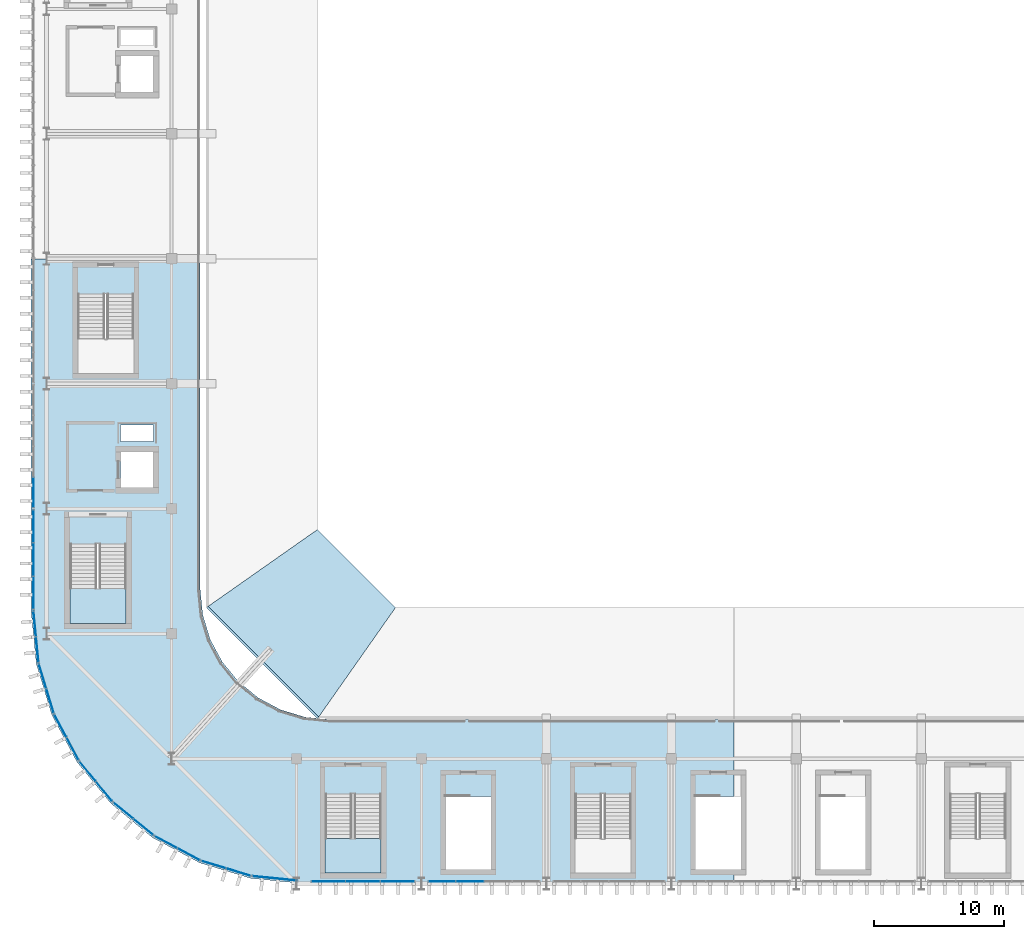
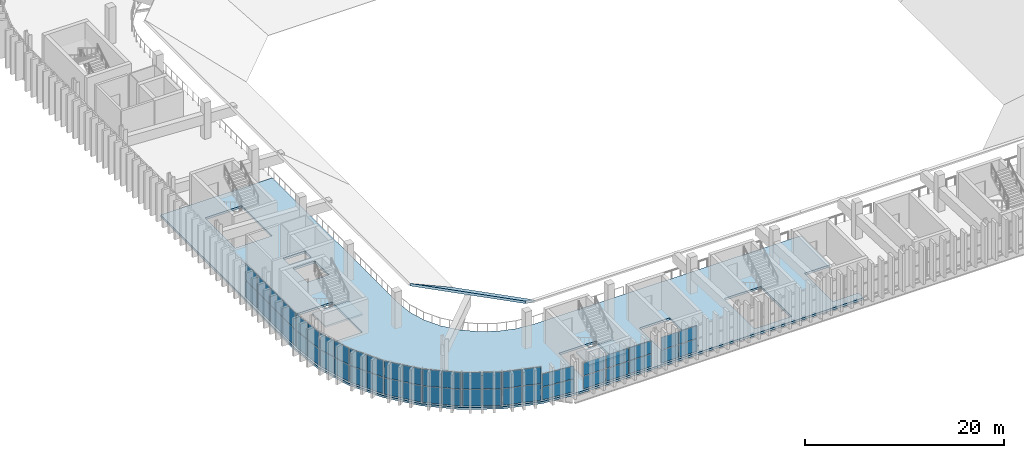
# One storey, part 35 of 69: 48 plates, 4 slabs, 14 elements without a shape of their own.
"""IFC4 building model written with IfcOpenShell, lengths in metres."""

from ifc_helpers import new_model, si_unit, direction, frame, origin, origin_2d, place, context, subcontext, project, spatial, polyline, rectangle, outline, extrude, material, layer, layer_set, type_object, element, aggregate, save


model = new_model("IFC4")

# Units and contexts
model_context = context("Model", 3, precision=1e-05, world=origin(), true_north=direction((0.0, 1.0)))
body_context = subcontext(model_context, "Body", "Model", "MODEL_VIEW")
ifc_project = project(units=[si_unit("LENGTHUNIT", "METRE"), si_unit("AREAUNIT", "SQUARE_METRE"), si_unit("VOLUMEUNIT", "CUBIC_METRE"), si_unit("PLANEANGLEUNIT", "RADIAN"), si_unit("MASSUNIT", "GRAM", prefix="KILO")], contexts=[model_context])

# Site, building, storey
site_placement = place(None, origin())
site = spatial("IfcSite", under=ifc_project, at=site_placement, CompositionType="ELEMENT")
building_placement = place(site_placement, origin())
building = spatial("IfcBuilding", under=site, at=building_placement, Name="Caelomonte Colonnade Arena", CompositionType="ELEMENT")
storey_placement = place(building_placement, frame((0.0, 0.0, 18.60009765625)))
storey = spatial("IfcBuildingStorey", under=building, at=storey_placement, Name="L04", CompositionType="ELEMENT", Elevation=18.60009765625)

# Curtain wall, plates
ifc_material_1 = material(Name="Bronze anodised aluminium and low-E glazing", Category="aluminium")
ifc_layer_1 = layer(ifc_material_1, 0.179931640625)
ifc_layer_set_1 = layer_set([ifc_layer_1], Name="Bronze anodised aluminium and low-E glazing")
curtain_wall_type_1 = type_object("IfcCurtainWallType", Name="ENV-CW-CW-L04-44-42", PredefinedType="USERDEFINED", material=ifc_layer_set_1)
curtain_wall_1_placement = place(storey_placement, origin())
curtain_wall_1 = element("IfcCurtainWall", 1, at=curtain_wall_1_placement, inside=storey, type_object=curtain_wall_type_1, Name="L04 unitized curtain wall CW-L04-0714-0204", ObjectType="UNITIZED CURTAIN WALL", PredefinedType="USERDEFINED")
ifc_material_2 = material(Name="Solar-control bronze low-E double glazing", Category="glass")
ifc_layer_2 = layer(ifc_material_2, 0.035888671875)
ifc_layer_set_2 = layer_set([ifc_layer_2], Name="Solar-control bronze low-E double glazing")
plate_type = type_object("IfcPlateType", Name="ENV-CW-PAN36", PredefinedType="CURTAIN_PANEL", material=ifc_layer_set_2)
plate_1_placement = place(storey_placement, frame((70.4365234375, 20.6611328125, 0.06982421875), z_axis=(0.0, 0.0, 1.0), x_axis=(0.956949160999, -0.290255582655, 0.0)))
plate_1 = element("IfcPlate", 2, at=plate_1_placement, type_object=plate_type, Name="CW-L04-44-42 panel 1.1", PredefinedType="CURTAIN_PANEL", context=body_context, shape_type="SweptSolid", body=[
    extrude(rectangle(XDim=1.913330078125, YDim=0.035888671875, at=origin_2d()), origin(), (0.0, 0.0, 1.0), 2.014892578125),
])
plate_2_placement = place(storey_placement, frame((70.4365234375, 20.6611328125, 2.15478515625), z_axis=(0.0, 0.0, 1.0), x_axis=(0.956949160999, -0.290255582655, 0.0)))
plate_2 = element("IfcPlate", 3, at=plate_2_placement, type_object=plate_type, Name="CW-L04-44-42 panel 1.2", PredefinedType="CURTAIN_PANEL", context=body_context, shape_type="SweptSolid", body=[
    extrude(rectangle(XDim=1.913330078125, YDim=0.035888671875, at=origin_2d()), origin(), (0.0, 0.0, 1.0), 2.014892578125),
])
plate_3_placement = place(storey_placement, frame((72.334716796875, 20.08544921875, 0.06982421875), z_axis=(0.0, 0.0, 1.0), x_axis=(0.956949160999, -0.290255582655, 0.0)))
plate_3 = element("IfcPlate", 4, at=plate_3_placement, type_object=plate_type, Name="CW-L04-44-42 panel 2.1", PredefinedType="CURTAIN_PANEL", context=body_context, shape_type="SweptSolid", body=[
    extrude(rectangle(XDim=1.913330078125, YDim=0.035888671875, at=origin_2d()), origin(), (0.0, 0.0, 1.0), 2.014892578125),
])
plate_4_placement = place(storey_placement, frame((72.334716796875, 20.08544921875, 2.15478515625), z_axis=(0.0, 0.0, 1.0), x_axis=(0.956949160999, -0.290255582655, 0.0)))
plate_4 = element("IfcPlate", 5, at=plate_4_placement, type_object=plate_type, Name="CW-L04-44-42 panel 2.2", PredefinedType="CURTAIN_PANEL", context=body_context, shape_type="SweptSolid", body=[
    extrude(rectangle(XDim=1.913330078125, YDim=0.035888671875, at=origin_2d()), origin(), (0.0, 0.0, 1.0), 2.014892578125),
])
aggregate(curtain_wall_1, [plate_1, plate_2, plate_3, plate_4])

ifc_layer_3 = layer(ifc_material_1, 0.179931640625)
ifc_layer_set_3 = layer_set([ifc_layer_3], Name="Bronze anodised aluminium and low-E glazing")
curtain_wall_type_2 = type_object("IfcCurtainWallType", Name="ENV-CW-CW-L04-42-33", PredefinedType="USERDEFINED", material=ifc_layer_set_3)
curtain_wall_2_placement = place(storey_placement, origin())
curtain_wall_2 = element("IfcCurtainWall", 6, at=curtain_wall_2_placement, inside=storey, type_object=curtain_wall_type_2, Name="L04 unitized curtain wall CW-L04-0753-0196", ObjectType="UNITIZED CURTAIN WALL", PredefinedType="USERDEFINED")
plate_5_placement = place(storey_placement, frame((75.1484375, 19.6025390625, 0.06982421875), z_axis=(0.0, 0.0, 1.0), x_axis=(0.995184334909, -0.098021117887, 0.0)))
plate_5 = element("IfcPlate", 7, at=plate_5_placement, type_object=plate_type, Name="CW-L04-42-33 panel 1.1", PredefinedType="CURTAIN_PANEL", context=body_context, shape_type="SweptSolid", body=[
    extrude(rectangle(XDim=3.453125, YDim=0.035888671875, at=origin_2d()), origin(), (0.0, 0.0, 1.0), 1.551513671875),
])
plate_6_placement = place(storey_placement, frame((75.1484375, 19.6025390625, 1.69140625), z_axis=(0.0, 0.0, 1.0), x_axis=(0.995184334909, -0.098021117887, 0.0)))
plate_6 = element("IfcPlate", 8, at=plate_6_placement, type_object=plate_type, Name="CW-L04-42-33 panel 1.2", PredefinedType="CURTAIN_PANEL", context=body_context, shape_type="SweptSolid", body=[
    extrude(rectangle(XDim=3.453125, YDim=0.035888671875, at=origin_2d()), origin(), (0.0, 0.0, 1.0), 1.551513671875),
])
aggregate(curtain_wall_2, [plate_5, plate_6])

ifc_layer_4 = layer(ifc_material_1, 0.179931640625)
ifc_layer_set_4 = layer_set([ifc_layer_4], Name="Bronze anodised aluminium and low-E glazing")
curtain_wall_type_3 = type_object("IfcCurtainWallType", Name="ENV-CW-CW-L04-90-33", PredefinedType="USERDEFINED", material=ifc_layer_set_4)
curtain_wall_3_placement = place(storey_placement, origin())
curtain_wall_3 = element("IfcCurtainWall", 9, at=curtain_wall_3_placement, inside=storey, type_object=curtain_wall_type_3, Name="L04 unitized curtain wall CW-L04-0819-0194", ObjectType="UNITIZED CURTAIN WALL", PredefinedType="USERDEFINED")
plate_7_placement = place(storey_placement, frame((79.23974609375, 19.3798828125, 0.06982421875), z_axis=(0.0, 0.0, 1.0), x_axis=(1.0, 0.0, 0.0)))
plate_7 = element("IfcPlate", 10, at=plate_7_placement, type_object=plate_type, Name="CW-L04-90-33 panel 1.1", PredefinedType="CURTAIN_PANEL", context=body_context, shape_type="SweptSolid", body=[
    extrude(rectangle(XDim=2.57275390625, YDim=0.035888671875, at=origin_2d()), origin(), (0.0, 0.0, 1.0), 1.551513671875),
])
plate_8_placement = place(storey_placement, frame((79.23974609375, 19.3798828125, 1.69140625), z_axis=(0.0, 0.0, 1.0), x_axis=(1.0, 0.0, 0.0)))
plate_8 = element("IfcPlate", 11, at=plate_8_placement, type_object=plate_type, Name="CW-L04-90-33 panel 1.2", PredefinedType="CURTAIN_PANEL", context=body_context, shape_type="SweptSolid", body=[
    extrude(rectangle(XDim=2.57275390625, YDim=0.035888671875, at=origin_2d()), origin(), (0.0, 0.0, 1.0), 1.551513671875),
])
plate_9_placement = place(storey_placement, frame((81.89990234375, 19.3798828125, 0.06982421875), z_axis=(0.0, 0.0, 1.0), x_axis=(1.0, 0.0, 0.0)))
plate_9 = element("IfcPlate", 12, at=plate_9_placement, type_object=plate_type, Name="CW-L04-90-33 panel 2.1", PredefinedType="CURTAIN_PANEL", context=body_context, shape_type="SweptSolid", body=[
    extrude(rectangle(XDim=2.607666015625, YDim=0.035888671875, at=origin_2d()), origin(), (0.0, 0.0, 1.0), 1.551513671875),
])
plate_10_placement = place(storey_placement, frame((81.89990234375, 19.3798828125, 1.69140625), z_axis=(0.0, 0.0, 1.0), x_axis=(1.0, 0.0, 0.0)))
plate_10 = element("IfcPlate", 13, at=plate_10_placement, type_object=plate_type, Name="CW-L04-90-33 panel 2.2", PredefinedType="CURTAIN_PANEL", context=body_context, shape_type="SweptSolid", body=[
    extrude(rectangle(XDim=2.607666015625, YDim=0.035888671875, at=origin_2d()), origin(), (0.0, 0.0, 1.0), 1.551513671875),
])
plate_11_placement = place(storey_placement, frame((84.56005859375, 19.3798828125, 0.06982421875), z_axis=(0.0, 0.0, 1.0), x_axis=(1.0, 0.0, 0.0)))
plate_11 = element("IfcPlate", 14, at=plate_11_placement, type_object=plate_type, Name="CW-L04-90-33 panel 3.1", PredefinedType="CURTAIN_PANEL", context=body_context, shape_type="SweptSolid", body=[
    extrude(rectangle(XDim=2.57275390625, YDim=0.035888671875, at=origin_2d()), origin(), (0.0, 0.0, 1.0), 1.551513671875),
])
plate_12_placement = place(storey_placement, frame((84.56005859375, 19.3798828125, 1.69140625), z_axis=(0.0, 0.0, 1.0), x_axis=(1.0, 0.0, 0.0)))
plate_12 = element("IfcPlate", 15, at=plate_12_placement, type_object=plate_type, Name="CW-L04-90-33 panel 3.2", PredefinedType="CURTAIN_PANEL", context=body_context, shape_type="SweptSolid", body=[
    extrude(rectangle(XDim=2.57275390625, YDim=0.035888671875, at=origin_2d()), origin(), (0.0, 0.0, 1.0), 1.551513671875),
])
aggregate(curtain_wall_3, [plate_7, plate_8, plate_9, plate_10, plate_11, plate_12])

ifc_layer_5 = layer(ifc_material_1, 0.179931640625)
ifc_layer_set_5 = layer_set([ifc_layer_5], Name="Bronze anodised aluminium and low-E glazing")
curtain_wall_type_4 = type_object("IfcCurtainWallType", Name="ENV-CW-CW-L04-96-33", PredefinedType="USERDEFINED", material=ifc_layer_set_5)
curtain_wall_4_placement = place(storey_placement, origin())
curtain_wall_4 = element("IfcCurtainWall", 16, at=curtain_wall_4_placement, inside=storey, type_object=curtain_wall_type_4, Name="L04 unitized curtain wall CW-L04-0912-0194", ObjectType="UNITIZED CURTAIN WALL", PredefinedType="USERDEFINED")
plate_13_placement = place(storey_placement, frame((87.980224609375, 19.3798828125, 0.06982421875), z_axis=(0.0, 0.0, 1.0), x_axis=(1.0, 0.0, 0.0)))
plate_13 = element("IfcPlate", 17, at=plate_13_placement, type_object=plate_type, Name="CW-L04-96-33 panel 1.1", PredefinedType="CURTAIN_PANEL", context=body_context, shape_type="SweptSolid", body=[
    extrude(rectangle(XDim=2.05322265625, YDim=0.035888671875, at=origin_2d()), origin(), (0.0, 0.0, 1.0), 1.551513671875),
])
plate_14_placement = place(storey_placement, frame((87.980224609375, 19.3798828125, 1.69140625), z_axis=(0.0, 0.0, 1.0), x_axis=(1.0, 0.0, 0.0)))
plate_14 = element("IfcPlate", 18, at=plate_14_placement, type_object=plate_type, Name="CW-L04-96-33 panel 1.2", PredefinedType="CURTAIN_PANEL", context=body_context, shape_type="SweptSolid", body=[
    extrude(rectangle(XDim=2.05322265625, YDim=0.035888671875, at=origin_2d()), origin(), (0.0, 0.0, 1.0), 1.551513671875),
])
plate_15_placement = place(storey_placement, frame((90.120849609375, 19.3798828125, 0.06982421875), z_axis=(0.0, 0.0, 1.0), x_axis=(1.0, 0.0, 0.0)))
plate_15 = element("IfcPlate", 19, at=plate_15_placement, type_object=plate_type, Name="CW-L04-96-33 panel 2.1", PredefinedType="CURTAIN_PANEL", context=body_context, shape_type="SweptSolid", body=[
    extrude(rectangle(XDim=2.088134765625, YDim=0.035888671875, at=origin_2d()), origin(), (0.0, 0.0, 1.0), 1.551513671875),
])
plate_16_placement = place(storey_placement, frame((90.120849609375, 19.3798828125, 1.69140625), z_axis=(0.0, 0.0, 1.0), x_axis=(1.0, 0.0, 0.0)))
plate_16 = element("IfcPlate", 20, at=plate_16_placement, type_object=plate_type, Name="CW-L04-96-33 panel 2.2", PredefinedType="CURTAIN_PANEL", context=body_context, shape_type="SweptSolid", body=[
    extrude(rectangle(XDim=2.088134765625, YDim=0.035888671875, at=origin_2d()), origin(), (0.0, 0.0, 1.0), 1.551513671875),
])
aggregate(curtain_wall_4, [plate_13, plate_14, plate_15, plate_16])

ifc_layer_6 = layer(ifc_material_1, 0.179931640625)
ifc_layer_set_6 = layer_set([ifc_layer_6], Name="Bronze anodised aluminium and low-E glazing")
curtain_wall_type_5 = type_object("IfcCurtainWallType", Name="ENV-CW-CW-L04-96-42", PredefinedType="USERDEFINED", material=ifc_layer_set_6)
curtain_wall_5_placement = place(storey_placement, origin())
curtain_wall_5 = element("IfcCurtainWall", 21, at=curtain_wall_5_placement, inside=storey, type_object=curtain_wall_type_5, Name="L04 unitized curtain wall CW-L04-0566-0528", ObjectType="UNITIZED CURTAIN WALL", PredefinedType="USERDEFINED")
plate_17_placement = place(storey_placement, frame((56.580078125, 49.24755859375, 0.06982421875), z_axis=(0.0, 0.0, 1.0), x_axis=(0.0, -1.0, 0.0)))
plate_17 = element("IfcPlate", 22, at=plate_17_placement, type_object=plate_type, Name="CW-L04-96-42 panel 4.1", PredefinedType="CURTAIN_PANEL", context=body_context, shape_type="SweptSolid", body=[
    extrude(rectangle(XDim=2.27490234375, YDim=0.035888671875, at=origin_2d()), origin(), (0.0, 0.0, 1.0), 2.014892578125),
])
plate_18_placement = place(storey_placement, frame((56.580078125, 49.24755859375, 2.15478515625), z_axis=(0.0, 0.0, 1.0), x_axis=(0.0, -1.0, 0.0)))
plate_18 = element("IfcPlate", 23, at=plate_18_placement, type_object=plate_type, Name="CW-L04-96-42 panel 4.2", PredefinedType="CURTAIN_PANEL", context=body_context, shape_type="SweptSolid", body=[
    extrude(rectangle(XDim=2.27490234375, YDim=0.035888671875, at=origin_2d()), origin(), (0.0, 0.0, 1.0), 2.014892578125),
])
aggregate(curtain_wall_5, [plate_17, plate_18])

ifc_layer_7 = layer(ifc_material_1, 0.179931640625)
ifc_layer_set_7 = layer_set([ifc_layer_7], Name="Bronze anodised aluminium and low-E glazing")
curtain_wall_type_6 = type_object("IfcCurtainWallType", Name="ENV-CW-CW-L04-79-42", PredefinedType="USERDEFINED", material=ifc_layer_set_7)
curtain_wall_6_placement = place(storey_placement, origin())
curtain_wall_6 = element("IfcCurtainWall", 24, at=curtain_wall_6_placement, inside=storey, type_object=curtain_wall_type_6, Name="L04 unitized curtain wall CW-L04-0566-0440", ObjectType="UNITIZED CURTAIN WALL", PredefinedType="USERDEFINED")
plate_19_placement = place(storey_placement, frame((56.580078125, 46.65576171875, 0.06982421875), z_axis=(0.0, 0.0, 1.0), x_axis=(0.0, -1.0, 0.0)))
plate_19 = element("IfcPlate", 25, at=plate_19_placement, type_object=plate_type, Name="CW-L04-79-42 panel 1.1", PredefinedType="CURTAIN_PANEL", context=body_context, shape_type="SweptSolid", body=[
    extrude(rectangle(XDim=2.46826171875, YDim=0.035888671875, at=origin_2d()), origin(), (0.0, 0.0, 1.0), 2.014892578125),
])
plate_20_placement = place(storey_placement, frame((56.580078125, 46.65576171875, 2.15478515625), z_axis=(0.0, 0.0, 1.0), x_axis=(0.0, -1.0, 0.0)))
plate_20 = element("IfcPlate", 26, at=plate_20_placement, type_object=plate_type, Name="CW-L04-79-42 panel 1.2", PredefinedType="CURTAIN_PANEL", context=body_context, shape_type="SweptSolid", body=[
    extrude(rectangle(XDim=2.46826171875, YDim=0.035888671875, at=origin_2d()), origin(), (0.0, 0.0, 1.0), 2.014892578125),
])
plate_21_placement = place(storey_placement, frame((56.580078125, 44.10009765625, 0.06982421875), z_axis=(0.0, 0.0, 1.0), x_axis=(0.0, -1.0, 0.0)))
plate_21 = element("IfcPlate", 27, at=plate_21_placement, type_object=plate_type, Name="CW-L04-79-42 panel 2.1", PredefinedType="CURTAIN_PANEL", context=body_context, shape_type="SweptSolid", body=[
    extrude(rectangle(XDim=2.50341796875, YDim=0.035888671875, at=origin_2d()), origin(), (0.0, 0.0, 1.0), 2.014892578125),
])
plate_22_placement = place(storey_placement, frame((56.580078125, 44.10009765625, 2.15478515625), z_axis=(0.0, 0.0, 1.0), x_axis=(0.0, -1.0, 0.0)))
plate_22 = element("IfcPlate", 28, at=plate_22_placement, type_object=plate_type, Name="CW-L04-79-42 panel 2.2", PredefinedType="CURTAIN_PANEL", context=body_context, shape_type="SweptSolid", body=[
    extrude(rectangle(XDim=2.50341796875, YDim=0.035888671875, at=origin_2d()), origin(), (0.0, 0.0, 1.0), 2.014892578125),
])
plate_23_placement = place(storey_placement, frame((56.580078125, 41.544189453125, 0.06982421875), z_axis=(0.0, 0.0, 1.0), x_axis=(0.0, -1.0, 0.0)))
plate_23 = element("IfcPlate", 29, at=plate_23_placement, type_object=plate_type, Name="CW-L04-79-42 panel 3.1", PredefinedType="CURTAIN_PANEL", context=body_context, shape_type="SweptSolid", body=[
    extrude(rectangle(XDim=2.46826171875, YDim=0.035888671875, at=origin_2d()), origin(), (0.0, 0.0, 1.0), 2.014892578125),
])
plate_24_placement = place(storey_placement, frame((56.580078125, 41.544189453125, 2.15478515625), z_axis=(0.0, 0.0, 1.0), x_axis=(0.0, -1.0, 0.0)))
plate_24 = element("IfcPlate", 30, at=plate_24_placement, type_object=plate_type, Name="CW-L04-79-42 panel 3.2", PredefinedType="CURTAIN_PANEL", context=body_context, shape_type="SweptSolid", body=[
    extrude(rectangle(XDim=2.46826171875, YDim=0.035888671875, at=origin_2d()), origin(), (0.0, 0.0, 1.0), 2.014892578125),
])
aggregate(curtain_wall_6, [plate_19, plate_20, plate_21, plate_22, plate_23, plate_24])

curtain_wall_7_placement = place(storey_placement, origin())
curtain_wall_7 = element("IfcCurtainWall", 31, at=curtain_wall_7_placement, inside=storey, type_object=curtain_wall_type_1, Name="L04 unitized curtain wall CW-L04-0568-0382", ObjectType="UNITIZED CURTAIN WALL", PredefinedType="USERDEFINED")
plate_25_placement = place(storey_placement, frame((56.68359375, 39.156005859375, 0.06982421875), z_axis=(0.0, 0.0, 1.0), x_axis=(0.098002498041, -0.995186168703, 0.0)))
plate_25 = element("IfcPlate", 32, at=plate_25_placement, type_object=plate_type, Name="CW-L04-44-42 panel 1.1", PredefinedType="CURTAIN_PANEL", context=body_context, shape_type="SweptSolid", body=[
    extrude(rectangle(XDim=1.913330078125, YDim=0.035888671875, at=origin_2d()), origin(), (0.0, 0.0, 1.0), 2.014892578125),
])
plate_26_placement = place(storey_placement, frame((56.68359375, 39.156005859375, 2.15478515625), z_axis=(0.0, 0.0, 1.0), x_axis=(0.098002498041, -0.995186168703, 0.0)))
plate_26 = element("IfcPlate", 33, at=plate_26_placement, type_object=plate_type, Name="CW-L04-44-42 panel 1.2", PredefinedType="CURTAIN_PANEL", context=body_context, shape_type="SweptSolid", body=[
    extrude(rectangle(XDim=1.913330078125, YDim=0.035888671875, at=origin_2d()), origin(), (0.0, 0.0, 1.0), 2.014892578125),
])
plate_27_placement = place(storey_placement, frame((56.878173828125, 37.182373046875, 0.06982421875), z_axis=(0.0, 0.0, 1.0), x_axis=(0.098002498041, -0.995186168703, 0.0)))
plate_27 = element("IfcPlate", 34, at=plate_27_placement, type_object=plate_type, Name="CW-L04-44-42 panel 2.1", PredefinedType="CURTAIN_PANEL", context=body_context, shape_type="SweptSolid", body=[
    extrude(rectangle(XDim=1.913330078125, YDim=0.035888671875, at=origin_2d()), origin(), (0.0, 0.0, 1.0), 2.014892578125),
])
plate_28_placement = place(storey_placement, frame((56.878173828125, 37.182373046875, 2.15478515625), z_axis=(0.0, 0.0, 1.0), x_axis=(0.098002498041, -0.995186168703, 0.0)))
plate_28 = element("IfcPlate", 35, at=plate_28_placement, type_object=plate_type, Name="CW-L04-44-42 panel 2.2", PredefinedType="CURTAIN_PANEL", context=body_context, shape_type="SweptSolid", body=[
    extrude(rectangle(XDim=1.913330078125, YDim=0.035888671875, at=origin_2d()), origin(), (0.0, 0.0, 1.0), 2.014892578125),
])
aggregate(curtain_wall_7, [plate_25, plate_26, plate_27, plate_28])

curtain_wall_8_placement = place(storey_placement, origin())
curtain_wall_8 = element("IfcCurtainWall", 36, at=curtain_wall_8_placement, inside=storey, type_object=curtain_wall_type_1, Name="L04 unitized curtain wall CW-L04-0576-0342", ObjectType="UNITIZED CURTAIN WALL", PredefinedType="USERDEFINED")
plate_29_placement = place(storey_placement, frame((57.285400390625, 35.134521484375, 0.06982421875), z_axis=(0.0, 0.0, 1.0), x_axis=(0.290255582655, -0.956949160999, 0.0)))
plate_29 = element("IfcPlate", 37, at=plate_29_placement, type_object=plate_type, Name="CW-L04-44-42 panel 1.1", PredefinedType="CURTAIN_PANEL", context=body_context, shape_type="SweptSolid", body=[
    extrude(rectangle(XDim=1.913330078125, YDim=0.035888671875, at=origin_2d()), origin(), (0.0, 0.0, 1.0), 2.014892578125),
])
plate_30_placement = place(storey_placement, frame((57.285400390625, 35.134521484375, 2.15478515625), z_axis=(0.0, 0.0, 1.0), x_axis=(0.290255582655, -0.956949160999, 0.0)))
plate_30 = element("IfcPlate", 38, at=plate_30_placement, type_object=plate_type, Name="CW-L04-44-42 panel 1.2", PredefinedType="CURTAIN_PANEL", context=body_context, shape_type="SweptSolid", body=[
    extrude(rectangle(XDim=1.913330078125, YDim=0.035888671875, at=origin_2d()), origin(), (0.0, 0.0, 1.0), 2.014892578125),
])
plate_31_placement = place(storey_placement, frame((57.861083984375, 33.236572265625, 0.06982421875), z_axis=(0.0, 0.0, 1.0), x_axis=(0.290255582655, -0.956949160999, 0.0)))
plate_31 = element("IfcPlate", 39, at=plate_31_placement, type_object=plate_type, Name="CW-L04-44-42 panel 2.1", PredefinedType="CURTAIN_PANEL", context=body_context, shape_type="SweptSolid", body=[
    extrude(rectangle(XDim=1.913330078125, YDim=0.035888671875, at=origin_2d()), origin(), (0.0, 0.0, 1.0), 2.014892578125),
])
plate_32_placement = place(storey_placement, frame((57.861083984375, 33.236572265625, 2.15478515625), z_axis=(0.0, 0.0, 1.0), x_axis=(0.290255582655, -0.956949160999, 0.0)))
plate_32 = element("IfcPlate", 40, at=plate_32_placement, type_object=plate_type, Name="CW-L04-44-42 panel 2.2", PredefinedType="CURTAIN_PANEL", context=body_context, shape_type="SweptSolid", body=[
    extrude(rectangle(XDim=1.913330078125, YDim=0.035888671875, at=origin_2d()), origin(), (0.0, 0.0, 1.0), 2.014892578125),
])
aggregate(curtain_wall_8, [plate_29, plate_30, plate_31, plate_32])

curtain_wall_9_placement = place(storey_placement, origin())
curtain_wall_9 = element("IfcCurtainWall", 41, at=curtain_wall_9_placement, inside=storey, type_object=curtain_wall_type_1, Name="L04 unitized curtain wall CW-L04-0591-0304", ObjectType="UNITIZED CURTAIN WALL", PredefinedType="USERDEFINED")
plate_33_placement = place(storey_placement, frame((58.66015625, 31.307861328125, 0.06982421875), z_axis=(0.0, 0.0, 1.0), x_axis=(0.471394212466, -0.881922613642, 0.0)))
plate_33 = element("IfcPlate", 42, at=plate_33_placement, type_object=plate_type, Name="CW-L04-44-42 panel 1.1", PredefinedType="CURTAIN_PANEL", context=body_context, shape_type="SweptSolid", body=[
    extrude(rectangle(XDim=1.913330078125, YDim=0.035888671875, at=origin_2d()), origin(), (0.0, 0.0, 1.0), 2.014892578125),
])
plate_34_placement = place(storey_placement, frame((58.66015625, 31.307861328125, 2.15478515625), z_axis=(0.0, 0.0, 1.0), x_axis=(0.471394212466, -0.881922613642, 0.0)))
plate_34 = element("IfcPlate", 43, at=plate_34_placement, type_object=plate_type, Name="CW-L04-44-42 panel 1.2", PredefinedType="CURTAIN_PANEL", context=body_context, shape_type="SweptSolid", body=[
    extrude(rectangle(XDim=1.913330078125, YDim=0.035888671875, at=origin_2d()), origin(), (0.0, 0.0, 1.0), 2.014892578125),
])
plate_35_placement = place(storey_placement, frame((59.594970703125, 29.55859375, 0.06982421875), z_axis=(0.0, 0.0, 1.0), x_axis=(0.471394212466, -0.881922613642, 0.0)))
plate_35 = element("IfcPlate", 44, at=plate_35_placement, type_object=plate_type, Name="CW-L04-44-42 panel 2.1", PredefinedType="CURTAIN_PANEL", context=body_context, shape_type="SweptSolid", body=[
    extrude(rectangle(XDim=1.913330078125, YDim=0.035888671875, at=origin_2d()), origin(), (0.0, 0.0, 1.0), 2.014892578125),
])
plate_36_placement = place(storey_placement, frame((59.594970703125, 29.55859375, 2.15478515625), z_axis=(0.0, 0.0, 1.0), x_axis=(0.471394212466, -0.881922613642, 0.0)))
plate_36 = element("IfcPlate", 45, at=plate_36_placement, type_object=plate_type, Name="CW-L04-44-42 panel 2.2", PredefinedType="CURTAIN_PANEL", context=body_context, shape_type="SweptSolid", body=[
    extrude(rectangle(XDim=1.913330078125, YDim=0.035888671875, at=origin_2d()), origin(), (0.0, 0.0, 1.0), 2.014892578125),
])
aggregate(curtain_wall_9, [plate_33, plate_34, plate_35, plate_36])

curtain_wall_10_placement = place(storey_placement, origin())
curtain_wall_10 = element("IfcCurtainWall", 46, at=curtain_wall_10_placement, inside=storey, type_object=curtain_wall_type_1, Name="L04 unitized curtain wall CW-L04-0614-0271", ObjectType="UNITIZED CURTAIN WALL", PredefinedType="USERDEFINED")
plate_37_placement = place(storey_placement, frame((60.7548828125, 27.82275390625, 0.06982421875), z_axis=(0.0, 0.0, 1.0), x_axis=(0.634416071163, -0.772991751994, 0.0)))
plate_37 = element("IfcPlate", 47, at=plate_37_placement, type_object=plate_type, Name="CW-L04-44-42 panel 1.1", PredefinedType="CURTAIN_PANEL", context=body_context, shape_type="SweptSolid", body=[
    extrude(rectangle(XDim=1.913330078125, YDim=0.035888671875, at=origin_2d()), origin(), (0.0, 0.0, 1.0), 2.014892578125),
])
plate_38_placement = place(storey_placement, frame((60.7548828125, 27.82275390625, 2.15478515625), z_axis=(0.0, 0.0, 1.0), x_axis=(0.634416071163, -0.772991751994, 0.0)))
plate_38 = element("IfcPlate", 48, at=plate_38_placement, type_object=plate_type, Name="CW-L04-44-42 panel 1.2", PredefinedType="CURTAIN_PANEL", context=body_context, shape_type="SweptSolid", body=[
    extrude(rectangle(XDim=1.913330078125, YDim=0.035888671875, at=origin_2d()), origin(), (0.0, 0.0, 1.0), 2.014892578125),
])
plate_39_placement = place(storey_placement, frame((62.01318359375, 26.28955078125, 0.06982421875), z_axis=(0.0, 0.0, 1.0), x_axis=(0.634416071163, -0.772991751994, 0.0)))
plate_39 = element("IfcPlate", 49, at=plate_39_placement, type_object=plate_type, Name="CW-L04-44-42 panel 2.1", PredefinedType="CURTAIN_PANEL", context=body_context, shape_type="SweptSolid", body=[
    extrude(rectangle(XDim=1.913330078125, YDim=0.035888671875, at=origin_2d()), origin(), (0.0, 0.0, 1.0), 2.014892578125),
])
plate_40_placement = place(storey_placement, frame((62.01318359375, 26.28955078125, 2.15478515625), z_axis=(0.0, 0.0, 1.0), x_axis=(0.634416071163, -0.772991751994, 0.0)))
plate_40 = element("IfcPlate", 50, at=plate_40_placement, type_object=plate_type, Name="CW-L04-44-42 panel 2.2", PredefinedType="CURTAIN_PANEL", context=body_context, shape_type="SweptSolid", body=[
    extrude(rectangle(XDim=1.913330078125, YDim=0.035888671875, at=origin_2d()), origin(), (0.0, 0.0, 1.0), 2.014892578125),
])
aggregate(curtain_wall_10, [plate_37, plate_38, plate_39, plate_40])

curtain_wall_11_placement = place(storey_placement, origin())
curtain_wall_11 = element("IfcCurtainWall", 51, at=curtain_wall_11_placement, inside=storey, type_object=curtain_wall_type_1, Name="L04 unitized curtain wall CW-L04-0643-0242", ObjectType="UNITIZED CURTAIN WALL", PredefinedType="USERDEFINED")
plate_41_placement = place(storey_placement, frame((63.489501953125, 24.813232421875, 0.06982421875), z_axis=(0.0, 0.0, 1.0), x_axis=(0.772991751994, -0.634416071163, 0.0)))
plate_41 = element("IfcPlate", 52, at=plate_41_placement, type_object=plate_type, Name="CW-L04-44-42 panel 1.1", PredefinedType="CURTAIN_PANEL", context=body_context, shape_type="SweptSolid", body=[
    extrude(rectangle(XDim=1.913330078125, YDim=0.035888671875, at=origin_2d()), origin(), (0.0, 0.0, 1.0), 2.014892578125),
])
plate_42_placement = place(storey_placement, frame((63.489501953125, 24.813232421875, 2.15478515625), z_axis=(0.0, 0.0, 1.0), x_axis=(0.772991751994, -0.634416071163, 0.0)))
plate_42 = element("IfcPlate", 53, at=plate_42_placement, type_object=plate_type, Name="CW-L04-44-42 panel 1.2", PredefinedType="CURTAIN_PANEL", context=body_context, shape_type="SweptSolid", body=[
    extrude(rectangle(XDim=1.913330078125, YDim=0.035888671875, at=origin_2d()), origin(), (0.0, 0.0, 1.0), 2.014892578125),
])
plate_43_placement = place(storey_placement, frame((65.022705078125, 23.554931640625, 0.06982421875), z_axis=(0.0, 0.0, 1.0), x_axis=(0.772991751994, -0.634416071163, 0.0)))
plate_43 = element("IfcPlate", 54, at=plate_43_placement, type_object=plate_type, Name="CW-L04-44-42 panel 2.1", PredefinedType="CURTAIN_PANEL", context=body_context, shape_type="SweptSolid", body=[
    extrude(rectangle(XDim=1.913330078125, YDim=0.035888671875, at=origin_2d()), origin(), (0.0, 0.0, 1.0), 2.014892578125),
])
plate_44_placement = place(storey_placement, frame((65.022705078125, 23.554931640625, 2.15478515625), z_axis=(0.0, 0.0, 1.0), x_axis=(0.772991751994, -0.634416071163, 0.0)))
plate_44 = element("IfcPlate", 55, at=plate_44_placement, type_object=plate_type, Name="CW-L04-44-42 panel 2.2", PredefinedType="CURTAIN_PANEL", context=body_context, shape_type="SweptSolid", body=[
    extrude(rectangle(XDim=1.913330078125, YDim=0.035888671875, at=origin_2d()), origin(), (0.0, 0.0, 1.0), 2.014892578125),
])
aggregate(curtain_wall_11, [plate_41, plate_42, plate_43, plate_44])

curtain_wall_12_placement = place(storey_placement, origin())
curtain_wall_12 = element("IfcCurtainWall", 56, at=curtain_wall_12_placement, inside=storey, type_object=curtain_wall_type_1, Name="L04 unitized curtain wall CW-L04-0676-0219", ObjectType="UNITIZED CURTAIN WALL", PredefinedType="USERDEFINED")
plate_45_placement = place(storey_placement, frame((66.758544921875, 22.39501953125, 0.06982421875), z_axis=(0.0, 0.0, 1.0), x_axis=(0.881922613642, -0.471394212466, 0.0)))
plate_45 = element("IfcPlate", 57, at=plate_45_placement, type_object=plate_type, Name="CW-L04-44-42 panel 1.1", PredefinedType="CURTAIN_PANEL", context=body_context, shape_type="SweptSolid", body=[
    extrude(rectangle(XDim=1.913330078125, YDim=0.035888671875, at=origin_2d()), origin(), (0.0, 0.0, 1.0), 2.014892578125),
])
plate_46_placement = place(storey_placement, frame((66.758544921875, 22.39501953125, 2.15478515625), z_axis=(0.0, 0.0, 1.0), x_axis=(0.881922613642, -0.471394212466, 0.0)))
plate_46 = element("IfcPlate", 58, at=plate_46_placement, type_object=plate_type, Name="CW-L04-44-42 panel 1.2", PredefinedType="CURTAIN_PANEL", context=body_context, shape_type="SweptSolid", body=[
    extrude(rectangle(XDim=1.913330078125, YDim=0.035888671875, at=origin_2d()), origin(), (0.0, 0.0, 1.0), 2.014892578125),
])
plate_47_placement = place(storey_placement, frame((68.5078125, 21.4599609375, 0.06982421875), z_axis=(0.0, 0.0, 1.0), x_axis=(0.881922613642, -0.471394212466, 0.0)))
plate_47 = element("IfcPlate", 59, at=plate_47_placement, type_object=plate_type, Name="CW-L04-44-42 panel 2.1", PredefinedType="CURTAIN_PANEL", context=body_context, shape_type="SweptSolid", body=[
    extrude(rectangle(XDim=1.913330078125, YDim=0.035888671875, at=origin_2d()), origin(), (0.0, 0.0, 1.0), 2.014892578125),
])
plate_48_placement = place(storey_placement, frame((68.5078125, 21.4599609375, 2.15478515625), z_axis=(0.0, 0.0, 1.0), x_axis=(0.881922613642, -0.471394212466, 0.0)))
plate_48 = element("IfcPlate", 60, at=plate_48_placement, type_object=plate_type, Name="CW-L04-44-42 panel 2.2", PredefinedType="CURTAIN_PANEL", context=body_context, shape_type="SweptSolid", body=[
    extrude(rectangle(XDim=1.913330078125, YDim=0.035888671875, at=origin_2d()), origin(), (0.0, 0.0, 1.0), 2.014892578125),
])
aggregate(curtain_wall_12, [plate_45, plate_46, plate_47, plate_48])

# Stair, slab
ifc_material_3 = material(Name="Concrete C40/50", Category="concrete")
stair_type_1 = type_object("IfcStairType", Name="INT-ST-WING45", PredefinedType="HALF_TURN_STAIR", material=ifc_material_3)
stair_1_placement = place(storey_placement, origin())
stair_1 = element("IfcStair", 61, at=stair_1_placement, inside=storey, type_object=stair_type_1, Name="L04 Core C1 exit stair ST-01", PredefinedType="HALF_TURN_STAIR")
ifc_layer_8 = layer(ifc_material_3, 0.199951171875)
ifc_layer_set_8 = layer_set([ifc_layer_8], Name="Concrete C40/50")
slab_type_1 = type_object("IfcSlabType", Name="INT-SL-LAND20", PredefinedType="LANDING", material=ifc_layer_set_8)
slab_1_placement = place(storey_placement, frame((0.0, 0.0, 2.0498046875)))
slab_1 = element("IfcSlab", 62, at=slab_1_placement, type_object=slab_type_1, Name="ST-01 landing 1", PredefinedType="LANDING", context=body_context, shape_type="SweptSolid", body=[
    extrude(outline(polyline([(59.39990234375, 41.8798828125), (59.39990234375, 39.199951171875), (63.699951171875, 39.199951171875), (63.699951171875, 41.8798828125), (59.39990234375, 41.8798828125)])), origin(), (0.0, 0.0, 1.0), 0.2001953125),
])
aggregate(stair_1, [slab_1])

stair_type_2 = type_object("IfcStairType", Name="INT-ST-CORE45", PredefinedType="HALF_TURN_STAIR", material=ifc_material_3)
stair_2_placement = place(storey_placement, origin())
stair_2 = element("IfcStair", 63, at=stair_2_placement, inside=storey, type_object=stair_type_2, Name="L04 Protected exit stair ST-11", PredefinedType="HALF_TURN_STAIR")
slab_2_placement = place(storey_placement, frame((0.0, 0.0, 2.0498046875)))
slab_2 = element("IfcSlab", 64, at=slab_2_placement, type_object=slab_type_1, Name="ST-11 landing 1", PredefinedType="LANDING", context=body_context, shape_type="SweptSolid", body=[
    extrude(outline(polyline([(79.0, 22.679931640625), (79.0, 20.0), (83.300048828125, 20.0), (83.300048828125, 22.679931640625), (79.0, 22.679931640625)])), origin(), (0.0, 0.0, 1.0), 0.2001953125),
])
aggregate(stair_2, [slab_2])

# Slabs
ifc_layer_9 = layer(ifc_material_3, 0.260009765625)
ifc_layer_set_9 = layer_set([ifc_layer_9], Name="Concrete C40/50")
slab_type_2 = type_object("IfcSlabType", Name="STR-SL-FLR26", PredefinedType="FLOOR", material=ifc_layer_set_9)
slab_3_placement = place(storey_placement, frame((0.0, 0.0, -0.260009765625)))
element("IfcSlab", 65, at=slab_3_placement, inside=storey, type_object=slab_type_2, Name="L04 structural floor slab SL-L04-V1-SW", PredefinedType="FLOOR", context=body_context, shape_type="SweptSolid", body=[
    extrude(outline(polyline([(73.302978515625, 19.603515625), (77.39990234375, 19.199951171875), (110.39990234375, 19.199951171875), (110.39990234375, 20.199951171875), (107.39990234375, 20.199951171875), (107.39990234375, 25.89990234375), (110.39990234375, 25.89990234375), (110.39990234375, 31.800048828125), (79.39990234375, 31.800048828125), (77.44921875, 31.9921875), (75.5732421875, 32.561279296875), (73.84423828125, 33.4853515625), (72.328857421875, 34.72900390625), (71.085205078125, 36.244384765625), (70.1611328125, 37.97314453125), (69.592041015625, 39.84912109375), (69.39990234375, 41.800048828125), (69.39990234375, 67.199951171875), (56.39990234375, 67.199951171875), (56.39990234375, 40.199951171875), (56.803466796875, 36.10302734375), (57.99853515625, 32.16357421875), (59.939208984375, 28.532958984375), (62.55078125, 25.350830078125), (65.73291015625, 22.739013671875), (69.363525390625, 20.798583984375), (73.302978515625, 19.603515625)]), holes=[polyline([(91.800048828125, 25.89990234375), (91.800048828125, 20.199951171875), (88.199951171875, 20.199951171875), (88.199951171875, 25.89990234375), (91.800048828125, 25.89990234375)]), polyline([(83.300048828125, 26.10009765625), (83.300048828125, 20.0), (79.0, 20.0), (79.0, 26.10009765625), (83.300048828125, 26.10009765625)]), polyline([(102.5, 26.10009765625), (102.5, 20.0), (98.199951171875, 20.0), (98.199951171875, 26.10009765625), (102.5, 26.10009765625)]), polyline([(63.699951171875, 45.300048828125), (63.699951171875, 39.199951171875), (59.39990234375, 39.199951171875), (59.39990234375, 45.300048828125), (63.699951171875, 45.300048828125)]), polyline([(63.280029296875, 49.580078125), (63.280029296875, 52.419921875), (65.820068359375, 52.419921875), (65.820068359375, 49.580078125), (63.280029296875, 49.580078125)]), polyline([(63.280029296875, 53.179931640625), (63.280029296875, 54.419921875), (65.820068359375, 54.419921875), (65.820068359375, 53.179931640625), (63.280029296875, 53.179931640625)]), polyline([(64.300048828125, 64.5), (64.300048828125, 58.39990234375), (60.0, 58.39990234375), (60.0, 64.5), (64.300048828125, 64.5)])]), origin(), (0.0, 0.0, 1.0), 0.260009765625),
])
ifc_material_4 = material(Name="Precast concrete C40/50", Category="concrete")
ifc_layer_10 = layer(ifc_material_4, 0.25)
ifc_layer_set_10 = layer_set([ifc_layer_10], Name="Precast concrete C40/50")
slab_type_3 = type_object("IfcSlabType", Name="STR-SL-TIER25", PredefinedType="USERDEFINED", material=ifc_layer_set_10)
slab_4_placement = place(storey_placement, frame((78.39990234375, 46.39990234375, -4.0), z_axis=(0.402482071006, 0.402482071006, 0.822202143659), x_axis=(0.707106781187, -0.707106781187, 0.0)))
element("IfcSlab", 66, at=slab_4_placement, inside=storey, type_object=slab_type_3, Name="Stand UPPER bowl seating tier sector SW", ObjectType="SEATING TIER", PredefinedType="USERDEFINED", context=body_context, shape_type="SweptSolid", body=[
    extrude(outline(polyline([(0.0, 0.0), (8.485281374238571, 0.0), (10.25304832720494, -12.298057043709122), (-1.7677669529663689, -12.298057043709122), (0.0, 0.0)])), origin(), (0.0, 0.0, -1.0), 0.25),
])

save(model, "model.ifc")
